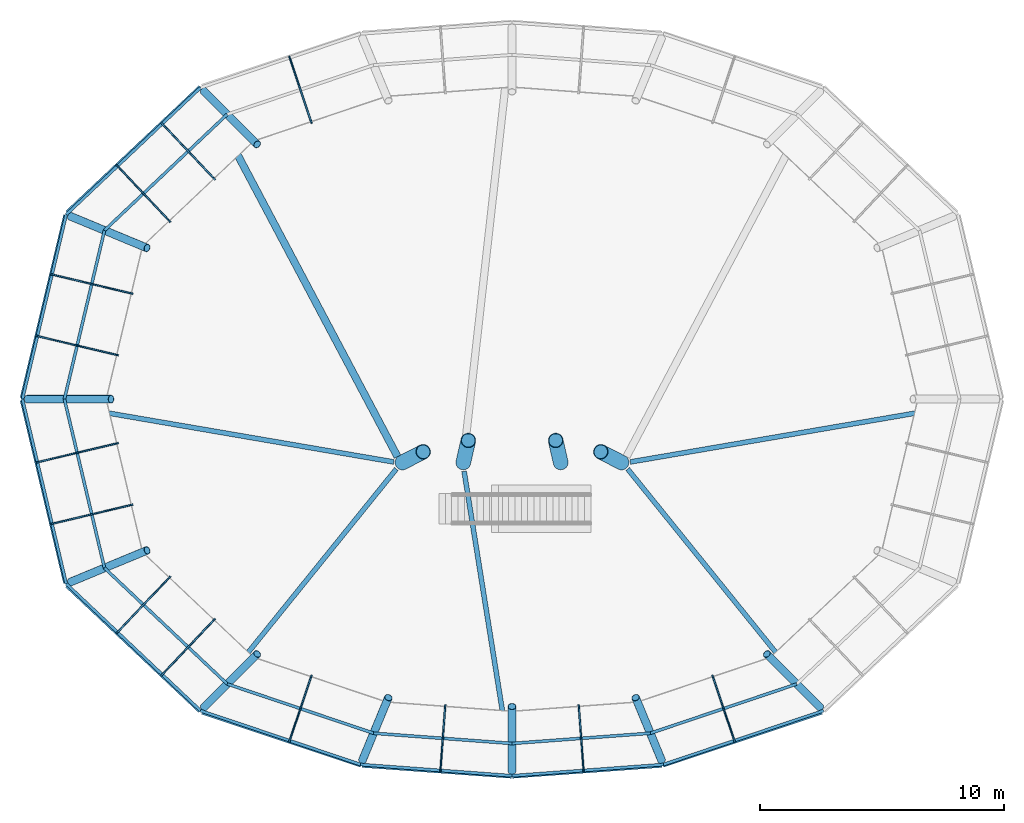
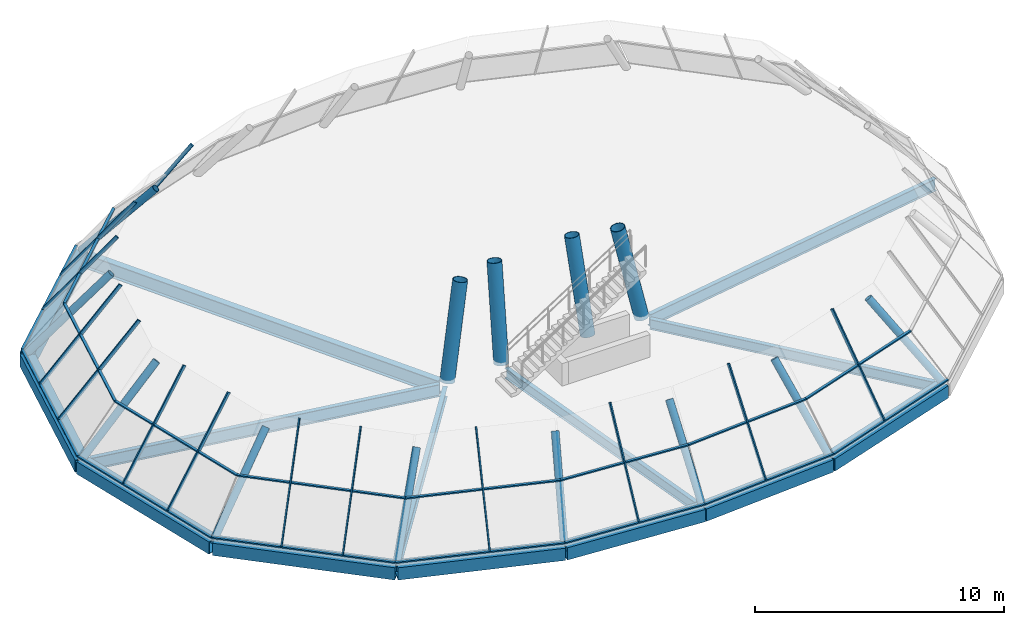
# One storey, part 1 of 5: 42 members, 14 beams, 9 elements without a shape of their own.
"""IFC4 building model written with IfcOpenShell, lengths in metres."""

from ifc_helpers import new_model, si_unit, direction, frame, origin, origin_2d, place, context, subcontext, project, spatial, rectangle, hollow_rectangle, hollow_circle, i_section, extrude, material, material_profile, profile_set, type_object, element, aggregate, save


model = new_model("IFC4")

# Units and contexts
model_context = context("Model", 3, precision=1e-05, world=origin(), true_north=direction((0.0, 1.0)))
body_context = subcontext(model_context, "Body", "Model", "MODEL_VIEW")
ifc_project = project(units=[si_unit("LENGTHUNIT", "METRE"), si_unit("AREAUNIT", "SQUARE_METRE"), si_unit("VOLUMEUNIT", "CUBIC_METRE"), si_unit("PLANEANGLEUNIT", "RADIAN"), si_unit("MASSUNIT", "GRAM", prefix="KILO")], contexts=[model_context])

# Site, building, storey
site_placement = place(None, origin())
site = spatial("IfcSite", under=ifc_project, at=site_placement, CompositionType="ELEMENT")
building_placement = place(site_placement, origin())
building = spatial("IfcBuilding", under=site, at=building_placement, Name="Rubra Terraces Tower", CompositionType="ELEMENT")
storey_placement = place(building_placement, frame((0.0, 0.0, 320.39990234375)))
storey = spatial("IfcBuildingStorey", under=building, at=storey_placement, Name="L79", CompositionType="ELEMENT", Elevation=320.39990234375)

# Members
ifc_material_1 = material(Name="Steel Q355B", Category="steel")
ifc_material_profile_1 = material_profile(ifc_material_1, hollow_circle(Radius=0.16259765625, WallThickness=0.013916015625, at=origin_2d()), Name="CHS 325x14")
ifc_profile_set_1 = profile_set([ifc_material_profile_1], Name="Steel Q355B")
member_type_1 = type_object("IfcMemberType", Name="CROWN POST CHS 325x14", PredefinedType="POST", material=ifc_profile_set_1)
member_1_placement = place(storey_placement, frame((-12.65478515625, 12.65478515625, -0.199951171875), z_axis=(0.461497859782, -0.461497859782, 0.757653912307), x_axis=(0.707106781187, 0.707106781187, 0.0)))
element("IfcMember", 1, at=member_1_placement, inside=storey, type_object=member_type_1, Name="CROWN POST", PredefinedType="POST", context=body_context, shape_type="SweptSolid", body=[
    extrude(hollow_circle(Radius=0.16259765625, WallThickness=0.013916015625, at=origin_2d()), origin(), (0.0, 0.0, 1.0), 4.751708984375),
])
member_2_placement = place(storey_placement, frame((-18.124267578125, 7.50732421875, -0.199951171875), z_axis=(0.634139392973, -0.262621890464, 0.727253032258), x_axis=(0.382624676871, 0.923903867645, 0.0)))
element("IfcMember", 2, at=member_2_placement, inside=storey, type_object=member_type_1, Name="CROWN POST", PredefinedType="POST", context=body_context, shape_type="SweptSolid", body=[
    extrude(hollow_circle(Radius=0.16259765625, WallThickness=0.013916015625, at=origin_2d()), origin(), (0.0, 0.0, 1.0), 4.9501953125),
])
member_3_placement = place(storey_placement, frame((-19.909423828125, 0.0, -0.199951171875), z_axis=(0.691584004948, 0.0, 0.722296036331), x_axis=(0.0, 1.0, 0.0)))
element("IfcMember", 3, at=member_3_placement, inside=storey, type_object=member_type_1, Name="CROWN POST", PredefinedType="POST", context=body_context, shape_type="SweptSolid", body=[
    extrude(hollow_circle(Radius=0.16259765625, WallThickness=0.013916015625, at=origin_2d()), origin(), (0.0, 0.0, 1.0), 4.984130859375),
])
member_4_placement = place(storey_placement, frame((-18.124267578125, -7.50732421875, -0.199951171875), z_axis=(0.634139392973, 0.262621890464, 0.727253032258), x_axis=(-0.382624676871, 0.923903867645, 0.0)))
element("IfcMember", 4, at=member_4_placement, inside=storey, type_object=member_type_1, Name="CROWN POST", PredefinedType="POST", context=body_context, shape_type="SweptSolid", body=[
    extrude(hollow_circle(Radius=0.16259765625, WallThickness=0.013916015625, at=origin_2d()), origin(), (0.0, 0.0, 1.0), 4.9501953125),
])
member_5_placement = place(storey_placement, frame((-12.65478515625, -12.65478515625, -0.199951171875), z_axis=(0.461497859782, 0.461497859782, 0.757653912307), x_axis=(-0.707106781187, 0.707106781187, 0.0)))
element("IfcMember", 5, at=member_5_placement, inside=storey, type_object=member_type_1, Name="CROWN POST", PredefinedType="POST", context=body_context, shape_type="SweptSolid", body=[
    extrude(hollow_circle(Radius=0.16259765625, WallThickness=0.013916015625, at=origin_2d()), origin(), (0.0, 0.0, 1.0), 4.751708984375),
])
member_6_placement = place(storey_placement, frame((-6.140380859375, -14.8251953125, -0.199951171875), z_axis=(0.233981738034, 0.56532176459, 0.790989158426), x_axis=(-0.923984786287, 0.382429228369, 0.0)))
element("IfcMember", 6, at=member_6_placement, inside=storey, type_object=member_type_1, Name="CROWN POST", PredefinedType="POST", context=body_context, shape_type="SweptSolid", body=[
    extrude(hollow_circle(Radius=0.16259765625, WallThickness=0.013916015625, at=origin_2d()), origin(), (0.0, 0.0, 1.0), 4.55126953125),
])
member_7_placement = place(storey_placement, frame((0.0, -15.2705078125, -0.199951171875), z_axis=(0.0, 0.593111499323, 0.80512033223), x_axis=(-1.0, 0.0, 0.0)))
element("IfcMember", 7, at=member_7_placement, inside=storey, type_object=member_type_1, Name="CROWN POST", PredefinedType="POST", context=body_context, shape_type="SweptSolid", body=[
    extrude(hollow_circle(Radius=0.16259765625, WallThickness=0.013916015625, at=origin_2d()), origin(), (0.0, 0.0, 1.0), 4.471435546875),
])
member_8_placement = place(storey_placement, frame((6.140380859375, -14.8251953125, -0.199951171875), z_axis=(-0.233981738034, 0.56532176459, 0.790989158426), x_axis=(-0.923984786287, -0.382429228369, 0.0)))
element("IfcMember", 8, at=member_8_placement, inside=storey, type_object=member_type_1, Name="CROWN POST", PredefinedType="POST", context=body_context, shape_type="SweptSolid", body=[
    extrude(hollow_circle(Radius=0.16259765625, WallThickness=0.013916015625, at=origin_2d()), origin(), (0.0, 0.0, 1.0), 4.55126953125),
])
member_9_placement = place(storey_placement, frame((12.65478515625, -12.65478515625, -0.199951171875), z_axis=(-0.461497859782, 0.461497859782, 0.757653912307), x_axis=(-0.707106781187, -0.707106781187, 0.0)))
element("IfcMember", 9, at=member_9_placement, inside=storey, type_object=member_type_1, Name="CROWN POST", PredefinedType="POST", context=body_context, shape_type="SweptSolid", body=[
    extrude(hollow_circle(Radius=0.16259765625, WallThickness=0.013916015625, at=origin_2d()), origin(), (0.0, 0.0, 1.0), 4.751708984375),
])

# Beams
ifc_material_profile_2 = material_profile(ifc_material_1, hollow_rectangle(XDim=0.60009765625, YDim=0.60009765625, WallThickness=0.030029296875, at=origin_2d()), Name="BOX 600x600x30")
ifc_profile_set_2 = profile_set([ifc_material_profile_2], Name="Steel Q355B")
beam_type_1 = type_object("IfcBeamType", Name="CROWN RING GIRDER BOX 600x600x30", PredefinedType="BEAM", material=ifc_profile_set_2)
beam_1_placement = place(storey_placement, frame((-12.655029296875, 12.655029296875, -0.5), z_axis=(-0.72815609384, -0.685411338543, 0.0), x_axis=(0.685411338543, -0.72815609384, 0.0)))
element("IfcBeam", 10, at=beam_1_placement, inside=storey, type_object=beam_type_1, Name="CROWN RING GIRDER", PredefinedType="BEAM", context=body_context, shape_type="SweptSolid", body=[
    extrude(hollow_rectangle(XDim=0.60009765625, YDim=0.60009765625, WallThickness=0.030029296875, at=origin_2d()), origin(), (0.0, 0.0, 1.0), 7.5107421875),
])
for number, where, z_axis, x_axis, name in (
    (11, (-18.1240234375, 7.507080078125, -0.5), (-0.231435173455, -0.972850327896, 0.0), (0.972850327896, -0.231435173455, 0.0), "CROWN RING GIRDER"),
    (12, (-19.909912109375, 0.0, -0.5), (0.231435173455, -0.972850327896, 0.0), (0.972850327896, 0.231435173455, 0.0), "CROWN RING GIRDER"),
):
    element("IfcBeam", number, at=place(storey_placement, frame(where, z_axis=z_axis, x_axis=x_axis)), inside=storey, type_object=beam_type_1, Name=name, PredefinedType="BEAM", context=body_context, shape_type="SweptSolid", body=[
        extrude(hollow_rectangle(XDim=0.60009765625, YDim=0.60009765625, WallThickness=0.030029296875, at=origin_2d()), origin(), (0.0, 0.0, 1.0), 7.716552734375),
    ])
beam_2_placement = place(storey_placement, frame((-18.1240234375, -7.507080078125, -0.5), z_axis=(0.72815609384, -0.685411338543, 0.0), x_axis=(0.685411338543, 0.72815609384, 0.0)))
element("IfcBeam", 13, at=beam_2_placement, inside=storey, type_object=beam_type_1, Name="CROWN RING GIRDER", PredefinedType="BEAM", context=body_context, shape_type="SweptSolid", body=[
    extrude(hollow_rectangle(XDim=0.60009765625, YDim=0.60009765625, WallThickness=0.030029296875, at=origin_2d()), origin(), (0.0, 0.0, 1.0), 7.5107421875),
])
beam_3_placement = place(storey_placement, frame((-12.655029296875, -12.655029296875, -0.5), z_axis=(0.948761485147, -0.315993107996, 0.0), x_axis=(0.315993107996, 0.948761485147, 0.0)))
element("IfcBeam", 14, at=beam_3_placement, inside=storey, type_object=beam_type_1, Name="CROWN RING GIRDER", PredefinedType="BEAM", context=body_context, shape_type="SweptSolid", body=[
    extrude(hollow_rectangle(XDim=0.60009765625, YDim=0.60009765625, WallThickness=0.030029296875, at=origin_2d()), origin(), (0.0, 0.0, 1.0), 6.866943359375),
])
for number, where, z_axis, x_axis, name in (
    (15, (-6.139892578125, -14.824951171875, -0.5), (0.997383055539, -0.072298274693, 0.0), (0.072298274693, 0.997383055539, 0.0), "CROWN RING GIRDER"),
    (16, (0.0, -15.27001953125, -0.5), (0.997383055539, 0.072298274693, 0.0), (-0.072298274693, 0.997383055539, 0.0), "CROWN RING GIRDER"),
):
    element("IfcBeam", number, at=place(storey_placement, frame(where, z_axis=z_axis, x_axis=x_axis)), inside=storey, type_object=beam_type_1, Name=name, PredefinedType="BEAM", context=body_context, shape_type="SweptSolid", body=[
        extrude(hollow_rectangle(XDim=0.60009765625, YDim=0.60009765625, WallThickness=0.030029296875, at=origin_2d()), origin(), (0.0, 0.0, 1.0), 6.156005859375),
    ])
beam_4_placement = place(storey_placement, frame((6.139892578125, -14.824951171875, -0.5), z_axis=(0.948761485147, 0.315993107996, 0.0), x_axis=(-0.315993107996, 0.948761485147, 0.0)))
element("IfcBeam", 17, at=beam_4_placement, inside=storey, type_object=beam_type_1, Name="CROWN RING GIRDER", PredefinedType="BEAM", context=body_context, shape_type="SweptSolid", body=[
    extrude(hollow_rectangle(XDim=0.60009765625, YDim=0.60009765625, WallThickness=0.030029296875, at=origin_2d()), origin(), (0.0, 0.0, 1.0), 6.866943359375),
])

# Curtain wall, member
ifc_material_2 = material(Name="Aluminium and glass", Category="aluminium")
curtain_wall_type = type_object("IfcCurtainWallType", Name="Curtain wall Crown glazing", PredefinedType="NOTDEFINED", material=ifc_material_2)
curtain_wall_1_placement = place(storey_placement, origin())
curtain_wall_1 = element("IfcCurtainWall", 18, at=curtain_wall_1_placement, inside=storey, type_object=curtain_wall_type, Name="Crown glazing L79 facet 6", PredefinedType="NOTDEFINED")
ifc_material_3 = material(Name="Aluminium, anodised dark grey", Category="aluminium")
ifc_material_profile_3 = material_profile(ifc_material_3, rectangle(XDim=0.06005859375, YDim=0.159912109375, at=origin_2d()), Name="AL 60x160")
ifc_profile_set_3 = profile_set([ifc_material_profile_3], Name="Aluminium, anodised dark grey")
member_type_2 = type_object("IfcMemberType", Name="Crown glazing mullion 60 x 160", PredefinedType="MULLION", material=ifc_profile_set_3)
member_10_placement = place(storey_placement, frame((-9.130859375, 14.02197265625, 0.0), z_axis=(0.175889468763, -0.522868776352, 0.834069024419), x_axis=(0.947809673557, 0.318836670901, 0.0)))
member_10 = element("IfcMember", 19, at=member_10_placement, type_object=member_type_2, Name="Crown glazing L79 facet 6 mullion 1", PredefinedType="MULLION", context=body_context, shape_type="SweptSolid", body=[
    extrude(rectangle(XDim=0.06005859375, YDim=0.159912109375, at=origin_2d()), origin(), (0.0, 0.0, 1.0), 5.035888671875),
])
aggregate(curtain_wall_1, [member_10])

# Curtain wall, members
curtain_wall_2_placement = place(storey_placement, origin())
curtain_wall_2 = element("IfcCurtainWall", 20, at=curtain_wall_2_placement, inside=storey, type_object=curtain_wall_type, Name="Crown glazing L79 facet 7", PredefinedType="NOTDEFINED")
member_11_placement = place(storey_placement, frame((-14.360107421875, 11.3076171875, 0.0), z_axis=(0.408014345473, -0.431583311675, 0.804524790775), x_axis=(0.72667023824, 0.68698643717, 0.0)))
member_11 = element("IfcMember", 21, at=member_11_placement, type_object=member_type_2, Name="Crown glazing L79 facet 7 mullion 1", PredefinedType="MULLION", context=body_context, shape_type="SweptSolid", body=[
    extrude(rectangle(XDim=0.06005859375, YDim=0.159912109375, at=origin_2d()), origin(), (0.0, 0.0, 1.0), 5.220703125),
])
member_12_placement = place(storey_placement, frame((-16.197021484375, 9.571044921875, 0.0), z_axis=(0.408014345473, -0.431583311675, 0.804524790775), x_axis=(0.72667023824, 0.68698643717, 0.0)))
member_12 = element("IfcMember", 22, at=member_12_placement, type_object=member_type_2, Name="Crown glazing L79 facet 7 mullion 2", PredefinedType="MULLION", context=body_context, shape_type="SweptSolid", body=[
    extrude(rectangle(XDim=0.06005859375, YDim=0.159912109375, at=origin_2d()), origin(), (0.0, 0.0, 1.0), 5.220703125),
])

curtain_wall_3_placement = place(storey_placement, origin())
curtain_wall_3 = element("IfcCurtainWall", 23, at=curtain_wall_3_placement, inside=storey, type_object=curtain_wall_type, Name="Crown glazing L79 facet 8", PredefinedType="NOTDEFINED")
member_13_placement = place(storey_placement, frame((-18.88720703125, 5.116455078125, 0.0), z_axis=(0.607134111535, -0.144164260493, 0.781412078616), x_axis=(0.231026783742, 0.972947390764, 0.0)))
member_13 = element("IfcMember", 24, at=member_13_placement, type_object=member_type_2, Name="Crown glazing L79 facet 8 mullion 1", PredefinedType="MULLION", context=body_context, shape_type="SweptSolid", body=[
    extrude(rectangle(XDim=0.06005859375, YDim=0.159912109375, at=origin_2d()), origin(), (0.0, 0.0, 1.0), 5.375244140625),
])
member_14_placement = place(storey_placement, frame((-19.4873046875, 2.58935546875, 0.0), z_axis=(0.607138086459, -0.144119783671, 0.781417194542), x_axis=(0.23095787964, 0.972963749495, 0.0)))
member_14 = element("IfcMember", 25, at=member_14_placement, type_object=member_type_2, Name="Crown glazing L79 facet 8 mullion 2", PredefinedType="MULLION", context=body_context, shape_type="SweptSolid", body=[
    extrude(rectangle(XDim=0.06005859375, YDim=0.159912109375, at=origin_2d()), origin(), (0.0, 0.0, 1.0), 5.375),
])

curtain_wall_4_placement = place(storey_placement, origin())
curtain_wall_4 = element("IfcCurtainWall", 26, at=curtain_wall_4_placement, inside=storey, type_object=curtain_wall_type, Name="Crown glazing L79 facet 9", PredefinedType="NOTDEFINED")
member_15_placement = place(storey_placement, frame((-19.4873046875, -2.58935546875, 0.0), z_axis=(0.607138086459, 0.144119783671, 0.781417194542), x_axis=(-0.23095787964, 0.972963749495, 0.0)))
member_15 = element("IfcMember", 27, at=member_15_placement, type_object=member_type_2, Name="Crown glazing L79 facet 9 mullion 1", PredefinedType="MULLION", context=body_context, shape_type="SweptSolid", body=[
    extrude(rectangle(XDim=0.06005859375, YDim=0.159912109375, at=origin_2d()), origin(), (0.0, 0.0, 1.0), 5.375),
])
member_16_placement = place(storey_placement, frame((-18.88720703125, -5.116455078125, 0.0), z_axis=(0.607134111535, 0.144164260493, 0.781412078616), x_axis=(-0.231026783742, 0.972947390764, 0.0)))
member_16 = element("IfcMember", 28, at=member_16_placement, type_object=member_type_2, Name="Crown glazing L79 facet 9 mullion 2", PredefinedType="MULLION", context=body_context, shape_type="SweptSolid", body=[
    extrude(rectangle(XDim=0.06005859375, YDim=0.159912109375, at=origin_2d()), origin(), (0.0, 0.0, 1.0), 5.375244140625),
])

curtain_wall_5_placement = place(storey_placement, origin())
curtain_wall_5 = element("IfcCurtainWall", 29, at=curtain_wall_5_placement, inside=storey, type_object=curtain_wall_type, Name="Crown glazing L79 facet 10", PredefinedType="NOTDEFINED")
member_17_placement = place(storey_placement, frame((-16.197021484375, -9.571044921875, 0.0), z_axis=(0.408014345473, 0.431583311675, 0.804524790775), x_axis=(-0.72667023824, 0.68698643717, 0.0)))
member_17 = element("IfcMember", 30, at=member_17_placement, type_object=member_type_2, Name="Crown glazing L79 facet 10 mullion 1", PredefinedType="MULLION", context=body_context, shape_type="SweptSolid", body=[
    extrude(rectangle(XDim=0.06005859375, YDim=0.159912109375, at=origin_2d()), origin(), (0.0, 0.0, 1.0), 5.220703125),
])
member_18_placement = place(storey_placement, frame((-14.360107421875, -11.3076171875, 0.0), z_axis=(0.408014345473, 0.431583311675, 0.804524790775), x_axis=(-0.72667023824, 0.68698643717, 0.0)))
member_18 = element("IfcMember", 31, at=member_18_placement, type_object=member_type_2, Name="Crown glazing L79 facet 10 mullion 2", PredefinedType="MULLION", context=body_context, shape_type="SweptSolid", body=[
    extrude(rectangle(XDim=0.06005859375, YDim=0.159912109375, at=origin_2d()), origin(), (0.0, 0.0, 1.0), 5.220703125),
])

# Curtain wall, member
curtain_wall_6_placement = place(storey_placement, origin())
curtain_wall_6 = element("IfcCurtainWall", 32, at=curtain_wall_6_placement, inside=storey, type_object=curtain_wall_type, Name="Crown glazing L79 facet 11", PredefinedType="NOTDEFINED")
member_19_placement = place(storey_placement, frame((-9.130859375, -14.02197265625, 0.0), z_axis=(0.175889468763, 0.522868776352, 0.834069024419), x_axis=(-0.947809673557, 0.318836670901, 0.0)))
member_19 = element("IfcMember", 33, at=member_19_placement, type_object=member_type_2, Name="Crown glazing L79 facet 11 mullion 1", PredefinedType="MULLION", context=body_context, shape_type="SweptSolid", body=[
    extrude(rectangle(XDim=0.06005859375, YDim=0.159912109375, at=origin_2d()), origin(), (0.0, 0.0, 1.0), 5.035888671875),
])

curtain_wall_7_placement = place(storey_placement, origin())
curtain_wall_7 = element("IfcCurtainWall", 34, at=curtain_wall_7_placement, inside=storey, type_object=curtain_wall_type, Name="Crown glazing L79 facet 12", PredefinedType="NOTDEFINED")
member_20_placement = place(storey_placement, frame((-2.9384765625, -15.24560546875, 0.0), z_axis=(0.039349040898, 0.531408797322, 0.846201124503), x_axis=(-0.997269768942, 0.073844484927, 0.0)))
member_20 = element("IfcMember", 35, at=member_20_placement, type_object=member_type_2, Name="Crown glazing L79 facet 12 mullion 1", PredefinedType="MULLION", context=body_context, shape_type="SweptSolid", body=[
    extrude(rectangle(XDim=0.06005859375, YDim=0.159912109375, at=origin_2d()), origin(), (0.0, 0.0, 1.0), 4.963623046875),
])

curtain_wall_8_placement = place(storey_placement, origin())
curtain_wall_8 = element("IfcCurtainWall", 36, at=curtain_wall_8_placement, inside=storey, type_object=curtain_wall_type, Name="Crown glazing L79 facet 13", PredefinedType="NOTDEFINED")
member_21_placement = place(storey_placement, frame((2.9384765625, -15.24560546875, 0.0), z_axis=(-0.039349040898, 0.531408797322, 0.846201124503), x_axis=(-0.997269768942, -0.073844484927, 0.0)))
member_21 = element("IfcMember", 37, at=member_21_placement, type_object=member_type_2, Name="Crown glazing L79 facet 13 mullion 1", PredefinedType="MULLION", context=body_context, shape_type="SweptSolid", body=[
    extrude(rectangle(XDim=0.06005859375, YDim=0.159912109375, at=origin_2d()), origin(), (0.0, 0.0, 1.0), 4.963623046875),
])

curtain_wall_9_placement = place(storey_placement, origin())
curtain_wall_9 = element("IfcCurtainWall", 38, at=curtain_wall_9_placement, inside=storey, type_object=curtain_wall_type, Name="Crown glazing L79 facet 14", PredefinedType="NOTDEFINED")
member_22_placement = place(storey_placement, frame((9.130859375, -14.02197265625, 0.0), z_axis=(-0.175889468763, 0.522868776352, 0.834069024419), x_axis=(-0.947809673557, -0.318836670901, 0.0)))
member_22 = element("IfcMember", 39, at=member_22_placement, type_object=member_type_2, Name="Crown glazing L79 facet 14 mullion 1", PredefinedType="MULLION", context=body_context, shape_type="SweptSolid", body=[
    extrude(rectangle(XDim=0.06005859375, YDim=0.159912109375, at=origin_2d()), origin(), (0.0, 0.0, 1.0), 5.035888671875),
])

# Member
ifc_material_profile_4 = material_profile(ifc_material_3, rectangle(XDim=0.1201171875, YDim=0.06005859375, at=origin_2d()), Name="AL 120x60")
ifc_profile_set_4 = profile_set([ifc_material_profile_4], Name="Aluminium, anodised dark grey")
member_type_3 = type_object("IfcMemberType", Name="Crown glazing transom 120 x 60", PredefinedType="USERDEFINED", material=ifc_profile_set_4)
member_23_placement = place(storey_placement, frame((-12.791015625, 12.791015625, 0.0), z_axis=(-0.726674704742, -0.68698171263, 0.0), x_axis=(0.68698171263, -0.726674704742, 0.0)))
member_23 = element("IfcMember", 40, at=member_23_placement, type_object=member_type_3, Name="Crown glazing L79 facet 7 transom 1", ObjectType="TRANSOM", PredefinedType="USERDEFINED", context=body_context, shape_type="SweptSolid", body=[
    extrude(rectangle(XDim=0.1201171875, YDim=0.06005859375, at=origin_2d()), origin(), (0.0, 0.0, 1.0), 7.583740234375),
])

member_24_placement = place(storey_placement, frame((-11.6943359375, 11.6943359375, 2.10009765625), z_axis=(-0.726670304904, -0.686986366656, 0.0), x_axis=(0.686986366656, -0.726670304904, 0.0)))
member_24 = element("IfcMember", 41, at=member_24_placement, type_object=member_type_3, Name="Crown glazing L79 facet 7 transom 2", ObjectType="TRANSOM", PredefinedType="USERDEFINED", context=body_context, shape_type="SweptSolid", body=[
    extrude(rectangle(XDim=0.1201171875, YDim=0.06005859375, at=origin_2d()), origin(), (0.0, 0.0, 1.0), 6.933349609375),
])

aggregate(curtain_wall_2, [member_11, member_12, member_23, member_24])

member_25_placement = place(storey_placement, frame((-18.302001953125, 7.5810546875, 0.0), z_axis=(-0.231017559599, -0.972949580994, 0.0), x_axis=(0.972949580994, -0.231017559599, 0.0)))
member_25 = element("IfcMember", 42, at=member_25_placement, type_object=member_type_3, Name="Crown glazing L79 facet 8 transom 1", ObjectType="TRANSOM", PredefinedType="USERDEFINED", context=body_context, shape_type="SweptSolid", body=[
    extrude(rectangle(XDim=0.1201171875, YDim=0.06005859375, at=origin_2d()), origin(), (0.0, 0.0, 1.0), 7.791748046875),
])

member_26_placement = place(storey_placement, frame((-16.732666015625, 6.930908203125, 2.10009765625), z_axis=(-0.23102741721, -0.972947240346, 0.0), x_axis=(0.972947240346, -0.23102741721, 0.0)))
member_26 = element("IfcMember", 43, at=member_26_placement, type_object=member_type_3, Name="Crown glazing L79 facet 8 transom 2", ObjectType="TRANSOM", PredefinedType="USERDEFINED", context=body_context, shape_type="SweptSolid", body=[
    extrude(rectangle(XDim=0.1201171875, YDim=0.06005859375, at=origin_2d()), origin(), (0.0, 0.0, 1.0), 7.12353515625),
])

aggregate(curtain_wall_3, [member_13, member_14, member_25, member_26])

member_27_placement = place(storey_placement, frame((-20.10205078125, 0.0, 0.0), z_axis=(0.231017559599, -0.972949580994, 0.0), x_axis=(0.972949580994, 0.231017559599, 0.0)))
member_27 = element("IfcMember", 44, at=member_27_placement, type_object=member_type_3, Name="Crown glazing L79 facet 9 transom 1", ObjectType="TRANSOM", PredefinedType="USERDEFINED", context=body_context, shape_type="SweptSolid", body=[
    extrude(rectangle(XDim=0.1201171875, YDim=0.06005859375, at=origin_2d()), origin(), (0.0, 0.0, 1.0), 7.791748046875),
])

member_28_placement = place(storey_placement, frame((-18.37841796875, 0.0, 2.10009765625), z_axis=(0.23102741721, -0.972947240346, 0.0), x_axis=(0.972947240346, 0.23102741721, 0.0)))
member_28 = element("IfcMember", 45, at=member_28_placement, type_object=member_type_3, Name="Crown glazing L79 facet 9 transom 2", ObjectType="TRANSOM", PredefinedType="USERDEFINED", context=body_context, shape_type="SweptSolid", body=[
    extrude(rectangle(XDim=0.1201171875, YDim=0.06005859375, at=origin_2d()), origin(), (0.0, 0.0, 1.0), 7.12353515625),
])

aggregate(curtain_wall_4, [member_15, member_16, member_27, member_28])

member_29_placement = place(storey_placement, frame((-18.302001953125, -7.5810546875, 0.0), z_axis=(0.726674704742, -0.68698171263, 0.0), x_axis=(0.68698171263, 0.726674704742, 0.0)))
member_29 = element("IfcMember", 46, at=member_29_placement, type_object=member_type_3, Name="Crown glazing L79 facet 10 transom 1", ObjectType="TRANSOM", PredefinedType="USERDEFINED", context=body_context, shape_type="SweptSolid", body=[
    extrude(rectangle(XDim=0.1201171875, YDim=0.06005859375, at=origin_2d()), origin(), (0.0, 0.0, 1.0), 7.583740234375),
])

member_30_placement = place(storey_placement, frame((-16.732666015625, -6.93115234375, 2.10009765625), z_axis=(0.726670304904, -0.686986366656, 0.0), x_axis=(0.686986366656, 0.726670304904, 0.0)))
member_30 = element("IfcMember", 47, at=member_30_placement, type_object=member_type_3, Name="Crown glazing L79 facet 10 transom 2", ObjectType="TRANSOM", PredefinedType="USERDEFINED", context=body_context, shape_type="SweptSolid", body=[
    extrude(rectangle(XDim=0.1201171875, YDim=0.06005859375, at=origin_2d()), origin(), (0.0, 0.0, 1.0), 6.933349609375),
])

aggregate(curtain_wall_5, [member_17, member_18, member_29, member_30])

member_31_placement = place(storey_placement, frame((-12.791015625, -12.791015625, 0.0), z_axis=(0.947831943993, -0.318770459652, 0.0), x_axis=(0.318770459652, 0.947831943993, 0.0)))
member_31 = element("IfcMember", 48, at=member_31_placement, type_object=member_type_3, Name="Crown glazing L79 facet 11 transom 1", ObjectType="TRANSOM", PredefinedType="USERDEFINED", context=body_context, shape_type="SweptSolid", body=[
    extrude(rectangle(XDim=0.1201171875, YDim=0.06005859375, at=origin_2d()), origin(), (0.0, 0.0, 1.0), 6.93896484375),
])

member_32_placement = place(storey_placement, frame((-11.694580078125, -11.6943359375, 2.10009765625), z_axis=(0.947837150447, -0.318754978366, 0.0), x_axis=(0.318754978366, 0.947837150447, 0.0)))
member_32 = element("IfcMember", 49, at=member_32_placement, type_object=member_type_3, Name="Crown glazing L79 facet 11 transom 2", ObjectType="TRANSOM", PredefinedType="USERDEFINED", context=body_context, shape_type="SweptSolid", body=[
    extrude(rectangle(XDim=0.1201171875, YDim=0.06005859375, at=origin_2d()), origin(), (0.0, 0.0, 1.0), 6.343994140625),
])

aggregate(curtain_wall_6, [member_19, member_31, member_32])

member_33_placement = place(storey_placement, frame((-6.214111328125, -15.0029296875, 0.0), z_axis=(0.997271815363, -0.073816842814, 0.0), x_axis=(0.073816842814, 0.997271815363, 0.0)))
member_33 = element("IfcMember", 50, at=member_33_placement, type_object=member_type_3, Name="Crown glazing L79 facet 12 transom 1", ObjectType="TRANSOM", PredefinedType="USERDEFINED", context=body_context, shape_type="SweptSolid", body=[
    extrude(rectangle(XDim=0.1201171875, YDim=0.06005859375, at=origin_2d()), origin(), (0.0, 0.0, 1.0), 6.231201171875),
])

member_34_placement = place(storey_placement, frame((-5.681396484375, -13.716552734375, 2.10009765625), z_axis=(0.997273364209, -0.073795914794, 0.0), x_axis=(0.073795914794, 0.997273364209, 0.0)))
member_34 = element("IfcMember", 51, at=member_34_placement, type_object=member_type_3, Name="Crown glazing L79 facet 12 transom 2", ObjectType="TRANSOM", PredefinedType="USERDEFINED", context=body_context, shape_type="SweptSolid", body=[
    extrude(rectangle(XDim=0.1201171875, YDim=0.06005859375, at=origin_2d()), origin(), (0.0, 0.0, 1.0), 5.697021484375),
])

aggregate(curtain_wall_7, [member_20, member_33, member_34])

member_35_placement = place(storey_placement, frame((0.0, -15.462890625, 0.0), z_axis=(0.997271815363, 0.073816842814, 0.0), x_axis=(-0.073816842814, 0.997271815363, 0.0)))
member_35 = element("IfcMember", 52, at=member_35_placement, type_object=member_type_3, Name="Crown glazing L79 facet 13 transom 1", ObjectType="TRANSOM", PredefinedType="USERDEFINED", context=body_context, shape_type="SweptSolid", body=[
    extrude(rectangle(XDim=0.1201171875, YDim=0.06005859375, at=origin_2d()), origin(), (0.0, 0.0, 1.0), 6.231201171875),
])

member_36_placement = place(storey_placement, frame((0.0, -14.136962890625, 2.10009765625), z_axis=(0.997273364209, 0.073795914794, 0.0), x_axis=(-0.073795914794, 0.997273364209, 0.0)))
member_36 = element("IfcMember", 53, at=member_36_placement, type_object=member_type_3, Name="Crown glazing L79 facet 13 transom 2", ObjectType="TRANSOM", PredefinedType="USERDEFINED", context=body_context, shape_type="SweptSolid", body=[
    extrude(rectangle(XDim=0.1201171875, YDim=0.06005859375, at=origin_2d()), origin(), (0.0, 0.0, 1.0), 5.697021484375),
])

aggregate(curtain_wall_8, [member_21, member_35, member_36])

member_37_placement = place(storey_placement, frame((6.214111328125, -15.0029296875, 0.0), z_axis=(0.947831943993, 0.318770459652, 0.0), x_axis=(-0.318770459652, 0.947831943993, 0.0)))
member_37 = element("IfcMember", 54, at=member_37_placement, type_object=member_type_3, Name="Crown glazing L79 facet 14 transom 1", ObjectType="TRANSOM", PredefinedType="USERDEFINED", context=body_context, shape_type="SweptSolid", body=[
    extrude(rectangle(XDim=0.1201171875, YDim=0.06005859375, at=origin_2d()), origin(), (0.0, 0.0, 1.0), 6.93896484375),
])

member_38_placement = place(storey_placement, frame((5.681396484375, -13.716552734375, 2.10009765625), z_axis=(0.947837150447, 0.318754978366, 0.0), x_axis=(-0.318754978366, 0.947837150447, 0.0)))
member_38 = element("IfcMember", 55, at=member_38_placement, type_object=member_type_3, Name="Crown glazing L79 facet 14 transom 2", ObjectType="TRANSOM", PredefinedType="USERDEFINED", context=body_context, shape_type="SweptSolid", body=[
    extrude(rectangle(XDim=0.1201171875, YDim=0.06005859375, at=origin_2d()), origin(), (0.0, 0.0, 1.0), 6.343994140625),
])

aggregate(curtain_wall_9, [member_22, member_37, member_38])

# Beams
ifc_material_profile_5 = material_profile(ifc_material_1, i_section(OverallWidth=0.198974609375, OverallDepth=0.49609375, WebThickness=0.009033203125, FlangeThickness=0.013916015625, at=origin_2d()), Name="HN 496x199x9x14")
ifc_profile_set_5 = profile_set([ifc_material_profile_5], Name="Steel Q355B")
beam_type_2 = type_object("IfcBeamType", Name="FLOOR BEAM HN 496x199x9x14", PredefinedType="BEAM", material=ifc_profile_set_5)
beam_5_placement = place(storey_placement, frame((-12.43505859375, -12.383056640625, -0.447998046875), z_axis=(0.628286000765, 0.777982455614, 0.0), x_axis=(-0.777982455614, 0.628286000765, 0.0)))
element("IfcBeam", 56, at=beam_5_placement, inside=storey, type_object=beam_type_2, Name="beam-L79-crown-floor-11", PredefinedType="BEAM", context=body_context, shape_type="SweptSolid", body=[
    extrude(i_section(OverallWidth=0.198974609375, OverallDepth=0.49609375, WebThickness=0.009033203125, FlangeThickness=0.013916015625, at=origin_2d()), origin(), (0.0, 0.0, 1.0), 12.231689453125),
])
beam_6_placement = place(storey_placement, frame((-0.054931640625, -14.925048828125, -0.447998046875), z_axis=(-0.157764120169, 0.987476826253, 0.0), x_axis=(-0.987476826253, -0.157764120169, 0.0)))
element("IfcBeam", 57, at=beam_6_placement, inside=storey, type_object=beam_type_2, Name="beam-L79-crown-floor-13", PredefinedType="BEAM", context=body_context, shape_type="SweptSolid", body=[
    extrude(i_section(OverallWidth=0.198974609375, OverallDepth=0.49609375, WebThickness=0.009033203125, FlangeThickness=0.013916015625, at=origin_2d()), origin(), (0.0, 0.0, 1.0), 12.11376953125),
])
beam_7_placement = place(storey_placement, frame((12.43505859375, -12.383056640625, -0.447998046875), z_axis=(-0.628286000765, 0.777982455614, 0.0), x_axis=(-0.777982455614, -0.628286000765, 0.0)))
element("IfcBeam", 58, at=beam_7_placement, inside=storey, type_object=beam_type_2, Name="beam-L79-crown-floor-15", PredefinedType="BEAM", context=body_context, shape_type="SweptSolid", body=[
    extrude(i_section(OverallWidth=0.198974609375, OverallDepth=0.49609375, WebThickness=0.009033203125, FlangeThickness=0.013916015625, at=origin_2d()), origin(), (0.0, 0.0, 1.0), 12.231689453125),
])
ifc_material_profile_6 = material_profile(ifc_material_1, i_section(OverallWidth=0.198974609375, OverallDepth=0.595947265625, WebThickness=0.010009765625, FlangeThickness=0.014892578125, at=origin_2d()), Name="HN 596x199x10x15")
ifc_profile_set_6 = profile_set([ifc_material_profile_6], Name="Steel Q355B")
beam_type_3 = type_object("IfcBeamType", Name="FLOOR BEAM HN 596x199x10x15", PredefinedType="BEAM", material=ifc_profile_set_6)
for number, where, z_axis, x_axis, name in (
    (59, (19.56494140625, -0.05908203125, -0.497802734375), (-0.985647236352, -0.168818024727, 0.0), (0.168818024727, -0.985647236352, 0.0), "beam-L79-crown-floor-01"),
    (60, (-19.56494140625, -0.05908203125, -0.497802734375), (0.985647236352, -0.168818024727, 0.0), (0.168818024727, 0.985647236352, 0.0), "beam-L79-crown-floor-09"),
):
    element("IfcBeam", number, at=place(storey_placement, frame(where, z_axis=z_axis, x_axis=x_axis)), inside=storey, type_object=beam_type_3, Name=name, PredefinedType="BEAM", context=body_context, shape_type="SweptSolid", body=[
        extrude(i_section(OverallWidth=0.198974609375, OverallDepth=0.595947265625, WebThickness=0.010009765625, FlangeThickness=0.014892578125, at=origin_2d()), origin(), (0.0, 0.0, 1.0), 14.920166015625),
    ])
ifc_material_profile_7 = material_profile(ifc_material_1, i_section(OverallWidth=0.300048828125, OverallDepth=0.699951171875, WebThickness=0.012939453125, FlangeThickness=0.02392578125, at=origin_2d()), Name="HN 700x300x13x24")
ifc_profile_set_7 = profile_set([ifc_material_profile_7], Name="Steel Q355B")
beam_type_4 = type_object("IfcBeamType", Name="FLOOR BEAM HN 700x300x13x24", PredefinedType="BEAM", material=ifc_profile_set_7)
beam_8_placement = place(storey_placement, frame((-12.490966796875, 12.345947265625, -0.5498046875), z_axis=(0.468098007041, -0.883676556102, 0.0), x_axis=(0.883676556102, 0.468098007041, 0.0)))
element("IfcBeam", 61, at=beam_8_placement, inside=storey, type_object=beam_type_4, Name="beam-L79-crown-floor-07", PredefinedType="BEAM", context=body_context, shape_type="SweptSolid", body=[
    extrude(i_section(OverallWidth=0.300048828125, OverallDepth=0.699951171875, WebThickness=0.012939453125, FlangeThickness=0.02392578125, at=origin_2d()), origin(), (0.0, 0.0, 1.0), 16.641845703125),
])

# Members
ifc_material_profile_8 = material_profile(ifc_material_1, hollow_circle(Radius=0.304931640625, WallThickness=0.02490234375, at=origin_2d()), Name="CHS 610x25")
ifc_profile_set_8 = profile_set([ifc_material_profile_8], Name="Steel Q355B")
member_type_4 = type_object("IfcMemberType", Name="SPIRE LEG CHS 610x25", PredefinedType="POST", material=ifc_profile_set_8)
member_39_placement = place(storey_placement, frame((-4.5, -2.60009765625, -0.199951171875), z_axis=(0.189617772731, 0.097736090404, 0.976981451665), x_axis=(-0.458157393677, 0.88887108324, 0.0)))
element("IfcMember", 62, at=member_39_placement, inside=storey, type_object=member_type_4, Name="SPIRE LEG", PredefinedType="POST", context=body_context, shape_type="SweptSolid", body=[
    extrude(hollow_circle(Radius=0.304931640625, WallThickness=0.02490234375, at=origin_2d()), origin(), (0.0, 0.0, 1.0), 4.50390625),
])
for number, where, z_axis, x_axis, name in (
    (63, (-2.0, -2.60009765625, -0.199951171875), (0.046035372802, 0.201459043005, 0.978414533029), (-0.974871548082, 0.222767737207, 0.0), "SPIRE LEG"),
    (64, (2.0, -2.60009765625, -0.199951171875), (-0.046035372802, 0.201459043005, 0.978414533029), (-0.974871548082, -0.222767737207, 0.0), "SPIRE LEG"),
):
    element("IfcMember", number, at=place(storey_placement, frame(where, z_axis=z_axis, x_axis=x_axis)), inside=storey, type_object=member_type_4, Name=name, PredefinedType="POST", context=body_context, shape_type="SweptSolid", body=[
        extrude(hollow_circle(Radius=0.304931640625, WallThickness=0.02490234375, at=origin_2d()), origin(), (0.0, 0.0, 1.0), 4.497314453125),
    ])
member_40_placement = place(storey_placement, frame((4.5, -2.60009765625, -0.199951171875), z_axis=(-0.189617772731, 0.097736090404, 0.976981451665), x_axis=(-0.458157393677, -0.88887108324, 0.0)))
element("IfcMember", 65, at=member_40_placement, inside=storey, type_object=member_type_4, Name="SPIRE LEG", PredefinedType="POST", context=body_context, shape_type="SweptSolid", body=[
    extrude(hollow_circle(Radius=0.304931640625, WallThickness=0.02490234375, at=origin_2d()), origin(), (0.0, 0.0, 1.0), 4.50390625),
])

save(model, "model.ifc")
